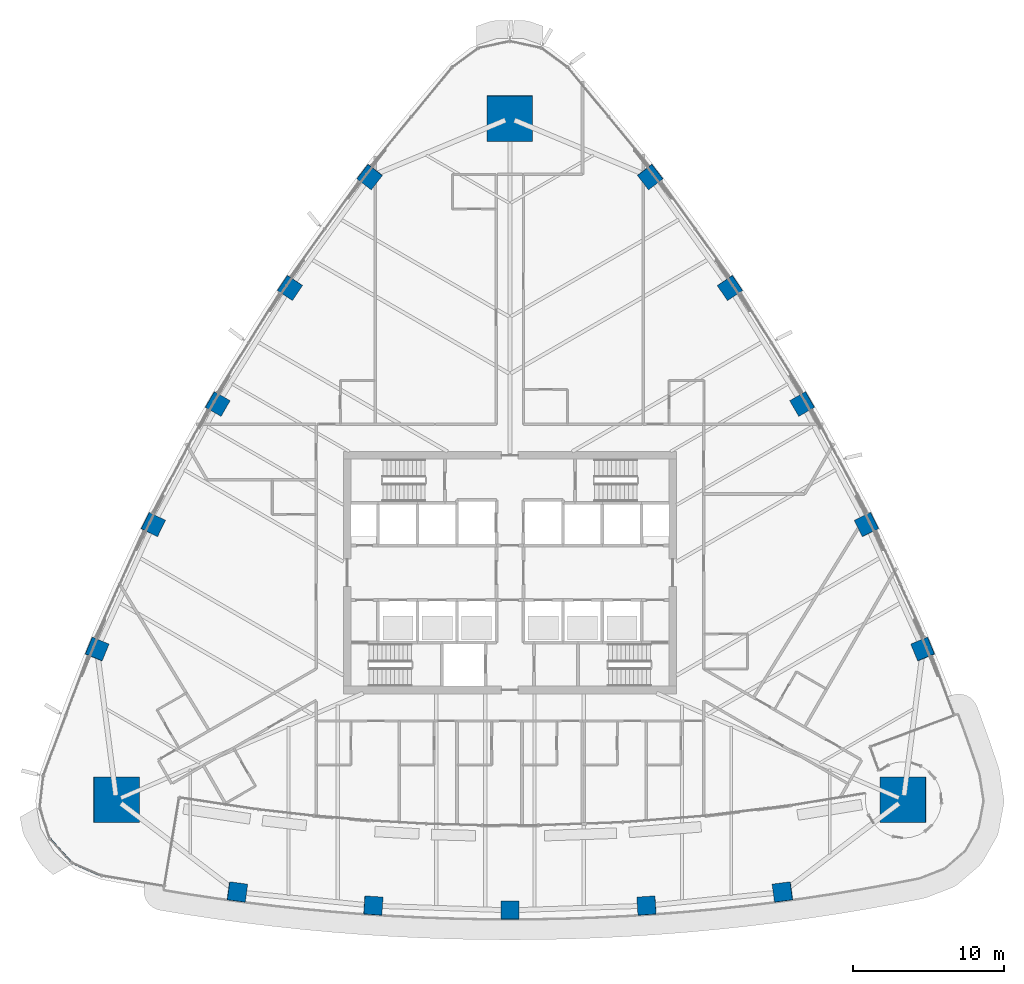
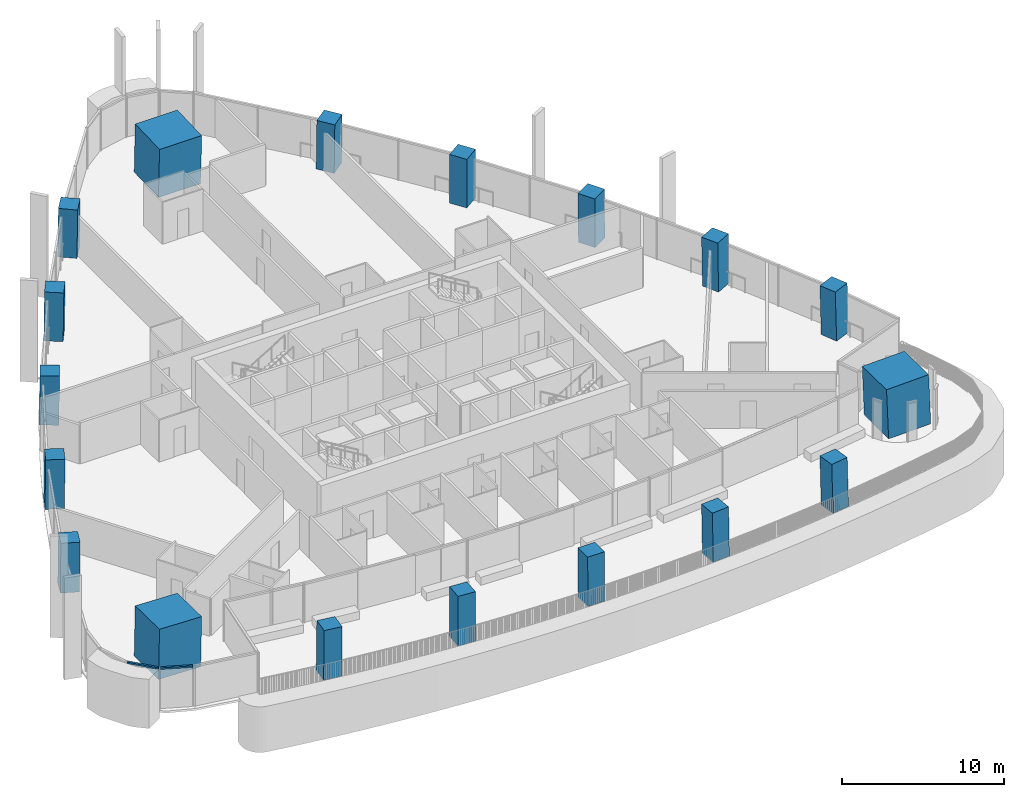
# One storey, part 1 of 25: 18 columns, 2 members, 2 elements without a shape of their own.
"""IFC4 building model written with IfcOpenShell, lengths in metres."""

from ifc_helpers import new_model, si_unit, direction, frame, origin, origin_2d, place, context, subcontext, project, spatial, rectangle, extrude, material, layer, layer_set, material_profile, profile_set, type_object, element, aggregate, save


model = new_model("IFC4")

# Units and contexts
model_context = context("Model", 3, precision=1e-05, world=origin(), true_north=direction((0.0, 1.0)))
body_context = subcontext(model_context, "Body", "Model", "MODEL_VIEW")
ifc_project = project(units=[si_unit("LENGTHUNIT", "METRE"), si_unit("AREAUNIT", "SQUARE_METRE"), si_unit("VOLUMEUNIT", "CUBIC_METRE"), si_unit("PLANEANGLEUNIT", "RADIAN"), si_unit("MASSUNIT", "GRAM", prefix="KILO")], contexts=[model_context])

# Site, building, storey
site_placement = place(None, origin())
site = spatial("IfcSite", under=ifc_project, at=site_placement, CompositionType="ELEMENT")
building_placement = place(site_placement, origin())
building = spatial("IfcBuilding", under=site, at=building_placement, Name="Sierra Prisma Convention Tower", CompositionType="ELEMENT")
storey_placement = place(building_placement, frame((0.0, 0.0, 88.699951171875)))
storey = spatial("IfcBuildingStorey", under=building, at=storey_placement, Name="L18", CompositionType="ELEMENT", Elevation=88.699951171875)

# Columns
ifc_material_1 = material(Name="Concrete C60/75", Category="concrete")
ifc_material_profile_1 = material_profile(ifc_material_1, rectangle(XDim=3.0, YDim=3.0, at=origin_2d()), Name="Mega column RC 3000 C60/75")
ifc_profile_set_1 = profile_set([ifc_material_profile_1], Name="Concrete C60/75")
column_type_1 = type_object("IfcColumnType", Name="Mega column RC 3000 C60/75", PredefinedType="COLUMN", material=ifc_profile_set_1)
for number, where, z_axis, x_axis, name in (
    (1, (25.997802734375, -15.009765625, 0.0), (-0.030466109479, 0.017607037296, 0.999380712447), (0.999535800346, 0.000536667047, 0.03046138236), "Mega column SE L18"),
    (2, (0.0, 30.019775390625, 0.0), (0.0, -0.035214042205, 0.999379793288), (1.0, 0.0, 0.0), "Mega column N L18"),
    (3, (-25.997802734375, -15.009765625, 0.0), (0.030466109479, 0.017607037296, 0.999380712447), (0.999535800346, -0.000536667047, -0.03046138236), "Mega column SW L18"),
):
    element("IfcColumn", number, at=place(storey_placement, frame(where, z_axis=z_axis, x_axis=x_axis)), inside=storey, type_object=column_type_1, Name=name, PredefinedType="COLUMN", context=body_context, shape_type="SweptSolid", body=[
        extrude(rectangle(XDim=3.0, YDim=3.0, at=origin_2d()), origin(), (0.0, 0.0, 1.0), 3.7021484375),
    ])
ifc_material_2 = material(Name="Concrete C60/75", Category="concrete")
ifc_material_profile_2 = material_profile(ifc_material_2, rectangle(XDim=1.199951171875, YDim=1.199951171875, at=origin_2d()), Name="Perimeter column RC 1200 C60/75")
ifc_profile_set_2 = profile_set([ifc_material_profile_2], Name="Concrete C60/75")
column_type_2 = type_object("IfcColumnType", Name="Perimeter column RC 1200 C60/75", PredefinedType="COLUMN", material=ifc_profile_set_2)
column_1_placement = place(storey_placement, frame((-18.017333984375, -21.10302734375, 0.0), z_axis=(0.019196808933, 0.011346567479, 0.99975133805), x_axis=(-0.991007247188, 0.13265582675, 0.017523345875)))
element("IfcColumn", 4, at=column_1_placement, inside=storey, type_object=column_type_2, Name="Perimeter column S-1 L18", PredefinedType="COLUMN", context=body_context, shape_type="SweptSolid", body=[
    extrude(rectangle(XDim=1.199951171875, YDim=1.199951171875, at=origin_2d()), origin(), (0.0, 0.0, 1.0), 3.700927734375),
])
column_2_placement = place(storey_placement, frame((-9.028564453125, -22.00146484375, 0.0), z_axis=(0.009632635025, 0.012073782257, 0.999880710947), x_axis=(-0.997748809248, 0.066480895261, 0.008809325128)))
element("IfcColumn", 5, at=column_2_placement, inside=storey, type_object=column_type_2, Name="Perimeter column S-2 L18", PredefinedType="COLUMN", context=body_context, shape_type="SweptSolid", body=[
    extrude(rectangle(XDim=1.199951171875, YDim=1.199951171875, at=origin_2d()), origin(), (0.0, 0.0, 1.0), 3.700439453125),
])
column_3_placement = place(storey_placement, frame((0.0, -22.301513671875, 0.0), z_axis=(0.0, 0.012404192427, 0.999923065046), x_axis=(1.0, 0.0, 0.0)))
element("IfcColumn", 6, at=column_3_placement, inside=storey, type_object=column_type_2, Name="Perimeter column S-3 L18", PredefinedType="COLUMN", context=body_context, shape_type="SweptSolid", body=[
    extrude(rectangle(XDim=1.199951171875, YDim=1.199951171875, at=origin_2d()), origin(), (0.0, 0.0, 1.0), 3.7001953125),
])
column_4_placement = place(storey_placement, frame((9.028564453125, -22.00146484375, 0.0), z_axis=(-0.009632635025, 0.012073782257, 0.999880710947), x_axis=(0.997748809248, 0.066480895261, 0.008809325128)))
element("IfcColumn", 7, at=column_4_placement, inside=storey, type_object=column_type_2, Name="Perimeter column S-4 L18", PredefinedType="COLUMN", context=body_context, shape_type="SweptSolid", body=[
    extrude(rectangle(XDim=1.199951171875, YDim=1.199951171875, at=origin_2d()), origin(), (0.0, 0.0, 1.0), 3.700439453125),
])
for number, where, z_axis, x_axis, name in (
    (8, (18.017333984375, -21.10302734375, 0.0), (-0.019196808933, 0.011346567479, 0.99975133805), (0.991007247188, 0.13265582675, 0.017523345875), "Perimeter column S-5 L18"),
    (9, (27.284423828125, -5.052001953125, 0.0), (-0.019460669214, 0.010950749456, 0.999750650632), (-0.380819123517, 0.924483192548, -0.017539152187), "Perimeter column NE-1 L18"),
):
    element("IfcColumn", number, at=place(storey_placement, frame(where, z_axis=z_axis, x_axis=x_axis)), inside=storey, type_object=column_type_2, Name=name, PredefinedType="COLUMN", context=body_context, shape_type="SweptSolid", body=[
        extrude(rectangle(XDim=1.199951171875, YDim=1.199951171875, at=origin_2d()), origin(), (0.0, 0.0, 1.0), 3.700927734375),
    ])
column_5_placement = place(storey_placement, frame((23.568115234375, 3.181640625, 0.0), z_axis=(-0.015240683228, 0.002309194428, 0.99988118754), x_axis=(-0.441368451021, 0.897282817129, -0.008799802757)))
element("IfcColumn", 10, at=column_5_placement, inside=storey, type_object=column_type_2, Name="Perimeter column NE-2 L18", PredefinedType="COLUMN", context=body_context, shape_type="SweptSolid", body=[
    extrude(rectangle(XDim=1.199951171875, YDim=1.199951171875, at=origin_2d()), origin(), (0.0, 0.0, 1.0), 3.700439453125),
])
column_6_placement = place(storey_placement, frame((19.313720703125, 11.150634765625, 0.0), z_axis=(-0.010754701703, -0.006136118149, 0.999923339284), x_axis=(-0.499971083262, 0.866042095943, -6.290806e-05)))
element("IfcColumn", 11, at=column_6_placement, inside=storey, type_object=column_type_2, Name="Perimeter column NE-3 L18", PredefinedType="COLUMN", context=body_context, shape_type="SweptSolid", body=[
    extrude(rectangle(XDim=1.199951171875, YDim=1.199951171875, at=origin_2d()), origin(), (0.0, 0.0, 1.0), 3.7001953125),
])
column_7_placement = place(storey_placement, frame((14.53955078125, 18.819580078125, 0.0), z_axis=(-0.005674021843, -0.014317008604, 0.999881407338), x_axis=(-0.556366425527, 0.830891094918, 0.008740076213)))
element("IfcColumn", 12, at=column_7_placement, inside=storey, type_object=column_type_2, Name="Perimeter column NE-4 L18", PredefinedType="COLUMN", context=body_context, shape_type="SweptSolid", body=[
    extrude(rectangle(XDim=1.199951171875, YDim=1.199951171875, at=origin_2d()), origin(), (0.0, 0.0, 1.0), 3.700439453125),
])
for number, where, z_axis, x_axis, name in (
    (13, (9.26708984375, 26.155029296875, 0.0), (-0.000263873665, -0.022297324707, 0.999751348927), (-0.610298622701, 0.791978068219, 0.01750230238), "Perimeter column NE-5 L18"),
    (14, (-9.26708984375, 26.155029296875, 0.0), (0.000263873665, -0.022297324707, 0.999751348927), (0.610298622701, 0.791978068219, 0.01750230238), "Perimeter column NW-1 L18"),
):
    element("IfcColumn", number, at=place(storey_placement, frame(where, z_axis=z_axis, x_axis=x_axis)), inside=storey, type_object=column_type_2, Name=name, PredefinedType="COLUMN", context=body_context, shape_type="SweptSolid", body=[
        extrude(rectangle(XDim=1.199951171875, YDim=1.199951171875, at=origin_2d()), origin(), (0.0, 0.0, 1.0), 3.700927734375),
    ])
column_8_placement = place(storey_placement, frame((-14.53955078125, 18.819580078125, 0.0), z_axis=(0.005674021843, -0.014317008604, 0.999881407338), x_axis=(0.556366425527, 0.830891094918, 0.008740076213)))
element("IfcColumn", 15, at=column_8_placement, inside=storey, type_object=column_type_2, Name="Perimeter column NW-2 L18", PredefinedType="COLUMN", context=body_context, shape_type="SweptSolid", body=[
    extrude(rectangle(XDim=1.199951171875, YDim=1.199951171875, at=origin_2d()), origin(), (0.0, 0.0, 1.0), 3.700439453125),
])
column_9_placement = place(storey_placement, frame((-19.313720703125, 11.150634765625, 0.0), z_axis=(0.010754701703, -0.006136118149, 0.999923339284), x_axis=(0.499971083262, 0.866042095943, -6.290806e-05)))
element("IfcColumn", 16, at=column_9_placement, inside=storey, type_object=column_type_2, Name="Perimeter column NW-3 L18", PredefinedType="COLUMN", context=body_context, shape_type="SweptSolid", body=[
    extrude(rectangle(XDim=1.199951171875, YDim=1.199951171875, at=origin_2d()), origin(), (0.0, 0.0, 1.0), 3.7001953125),
])
column_10_placement = place(storey_placement, frame((-23.568115234375, 3.181640625, 0.0), z_axis=(0.015240683228, 0.002309194428, 0.99988118754), x_axis=(0.441368451021, 0.897282817129, -0.008799802757)))
element("IfcColumn", 17, at=column_10_placement, inside=storey, type_object=column_type_2, Name="Perimeter column NW-4 L18", PredefinedType="COLUMN", context=body_context, shape_type="SweptSolid", body=[
    extrude(rectangle(XDim=1.199951171875, YDim=1.199951171875, at=origin_2d()), origin(), (0.0, 0.0, 1.0), 3.700439453125),
])
column_11_placement = place(storey_placement, frame((-27.284423828125, -5.052001953125, 0.0), z_axis=(0.019460669214, 0.010950749456, 0.999750650632), x_axis=(0.380819123517, 0.924483192548, -0.017539152187)))
element("IfcColumn", 18, at=column_11_placement, inside=storey, type_object=column_type_2, Name="Perimeter column NW-5 L18", PredefinedType="COLUMN", context=body_context, shape_type="SweptSolid", body=[
    extrude(rectangle(XDim=1.199951171875, YDim=1.199951171875, at=origin_2d()), origin(), (0.0, 0.0, 1.0), 3.700927734375),
])

# Curtain wall, member
ifc_material_3 = material(Name="Aluminium and glass curtain wall", Category="aluminium")
ifc_layer = layer(ifc_material_3, 0.179931640625)
ifc_layer_set = layer_set([ifc_layer], Name="CW-1 Plain shaft curtain wall")
curtain_wall_type = type_object("IfcCurtainWallType", Name="CW-1 Plain shaft curtain wall", PredefinedType="NOTDEFINED", material=ifc_layer_set)
curtain_wall_1_placement = place(storey_placement, origin())
curtain_wall_1 = element("IfcCurtainWall", 19, at=curtain_wall_1_placement, inside=storey, type_object=curtain_wall_type, Name="CW-1 SW3 L18", PredefinedType="NOTDEFINED")
ifc_material_4 = material(Name="Aluminium 6063-T6 bronze anodised", Category="aluminium")
ifc_material_profile_3 = material_profile(ifc_material_4, rectangle(XDim=0.139892578125, YDim=0.1201171875, at=origin_2d()), Name="ALU TRANSOM 120x140")
ifc_profile_set_3 = profile_set([ifc_material_profile_3], Name="Aluminium 6063-T6 bronze anodised")
member_type = type_object("IfcMemberType", Name="CW transom bronze", PredefinedType="USERDEFINED", material=ifc_profile_set_3)
member_1_placement = place(storey_placement, frame((-30.361328125, -17.608154296875, 3.0400390625), z_axis=(0.671002684598, -0.741454919238, 0.0), x_axis=(0.741454919238, 0.671002684598, 0.0)))
member_1 = element("IfcMember", 20, at=member_1_placement, type_object=member_type, Name="CW-1 transom SW3.1", ObjectType="TRANSOM", PredefinedType="USERDEFINED", context=body_context, shape_type="SweptSolid", body=[
    extrude(rectangle(XDim=0.139892578125, YDim=0.1201171875, at=origin_2d()), origin(), (0.0, 0.0, 1.0), 2.0029296875),
])
aggregate(curtain_wall_1, [member_1])

curtain_wall_2_placement = place(storey_placement, origin())
curtain_wall_2 = element("IfcCurtainWall", 21, at=curtain_wall_2_placement, inside=storey, type_object=curtain_wall_type, Name="CW-1 SW4 L18", PredefinedType="NOTDEFINED")
member_2_placement = place(storey_placement, frame((-28.90625, -19.173095703125, 3.0400390625), z_axis=(0.916623834639, -0.399750854623, 0.0), x_axis=(0.399750854623, 0.916623834639, 0.0)))
member_2 = element("IfcMember", 22, at=member_2_placement, type_object=member_type, Name="CW-1 transom SW4.1", ObjectType="TRANSOM", PredefinedType="USERDEFINED", context=body_context, shape_type="SweptSolid", body=[
    extrude(rectangle(XDim=0.139892578125, YDim=0.1201171875, at=origin_2d()), origin(), (0.0, 0.0, 1.0), 2.003173828125),
])
aggregate(curtain_wall_2, [member_2])

save(model, "model.ifc")
